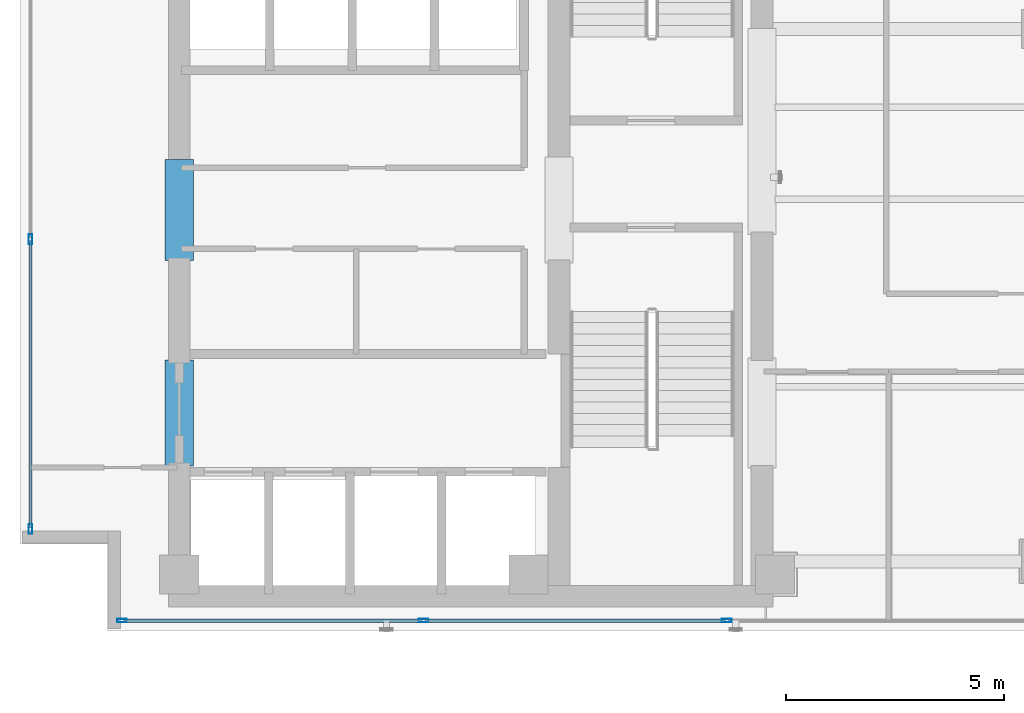
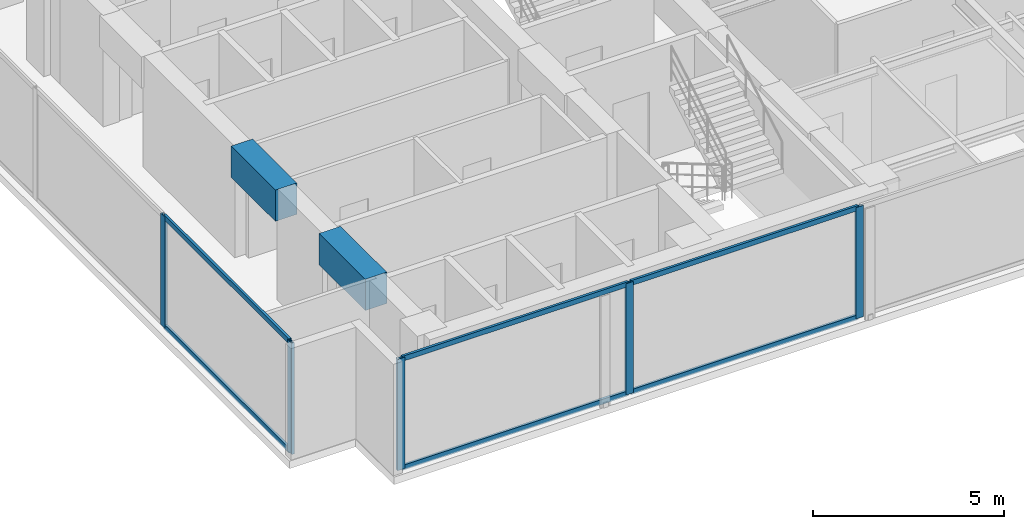
# One storey, part 2 of 24: 11 members, 2 beams, 2 elements without a shape of their own.
"""IFC4 building model written with IfcOpenShell, lengths in metres."""

from ifc_helpers import new_model, si_unit, direction, frame, origin, origin_with_axes, origin_2d, place, context, subcontext, project, spatial, rectangle, hollow_rectangle, extrude, source, transform, mapped, material, layer, layer_set, material_profile, profile_set, type_object, element, aggregate, save


model = new_model("IFC4")

# Units and contexts
model_context = context("Model", 3, precision=1e-05, world=origin(), true_north=direction((0.0, 1.0)))
body_context = subcontext(model_context, "Body", "Model", "MODEL_VIEW")
ifc_project = project(units=[si_unit("LENGTHUNIT", "METRE"), si_unit("AREAUNIT", "SQUARE_METRE"), si_unit("VOLUMEUNIT", "CUBIC_METRE"), si_unit("PLANEANGLEUNIT", "RADIAN"), si_unit("MASSUNIT", "GRAM", prefix="KILO")], contexts=[model_context])

# Site, building, storey
site_placement = place(None, origin())
site = spatial("IfcSite", under=ifc_project, at=site_placement, CompositionType="ELEMENT")
building_placement = place(site_placement, origin())
building = spatial("IfcBuilding", under=site, at=building_placement, Name="Kolvaren Waterfront Exchange", CompositionType="ELEMENT")
storey_placement = place(building_placement, frame((0.0, 0.0, 316.0)))
storey = spatial("IfcBuildingStorey", under=building, at=storey_placement, Name="L81", CompositionType="ELEMENT", Elevation=316.0)

# Beams
ifc_material_1 = material(Name="Concrete C60/75", Category="concrete")
ifc_material_profile_1 = material_profile(ifc_material_1, rectangle(XDim=0.64990234375, YDim=1.0, at=origin_2d()), Name="RC-CB-1000x650")
ifc_profile_set_1 = profile_set([ifc_material_profile_1], Name="Concrete C60/75")
beam_type = type_object("IfcBeamType", Name="STR-CB-1000", PredefinedType="SPANDREL", material=ifc_profile_set_1)
beam_1_placement = place(storey_placement, frame((7.449951171875, 7.389892578125, 3.06005859375), z_axis=(0.0, 1.0, 0.0), x_axis=(-1.0, 0.0, 0.0)))
element("IfcBeam", 1, at=beam_1_placement, inside=storey, type_object=beam_type, Name="L81 core coupling beam 3", PredefinedType="SPANDREL", context=body_context, shape_type="SweptSolid", body=[
    extrude(rectangle(XDim=0.64990234375, YDim=1.0, at=origin_2d()), origin(), (0.0, 0.0, 1.0), 2.420166015625),
])
beam_2_placement = place(storey_placement, frame((7.449951171875, 12.090087890625, 3.06005859375), z_axis=(0.0, 1.0, 0.0), x_axis=(-1.0, 0.0, 0.0)))
element("IfcBeam", 2, at=beam_2_placement, inside=storey, type_object=beam_type, Name="L81 core coupling beam 4", PredefinedType="SPANDREL", context=body_context, shape_type="SweptSolid", body=[
    extrude(rectangle(XDim=0.64990234375, YDim=1.0, at=origin_2d()), origin(), (0.0, 0.0, 1.0), 2.31982421875),
])

# Curtain wall, members
ifc_material_2 = material(Name="Anodised bronze aluminium 6063-T6", Category="aluminium")
ifc_layer_1 = layer(ifc_material_2, 0.219970703125, Name="Anodised bronze aluminium 6063-T6")
ifc_layer_set_1 = layer_set([ifc_layer_1], Name="Anodised bronze aluminium 6063-T6")
curtain_wall_type_1 = type_object("IfcCurtainWallType", Name="ARC-CW-SYS1", PredefinedType="USERDEFINED", material=ifc_layer_set_1)
curtain_wall_1_placement = place(storey_placement, origin())
curtain_wall_1 = element("IfcCurtainWall", 3, at=curtain_wall_1_placement, inside=storey, type_object=curtain_wall_type_1, Name="L81 stick curtain wall CW1 (CW-L81-S)", ObjectType="STICK CURTAIN WALL", PredefinedType="USERDEFINED")
ifc_material_3 = material(Name="Anodised aluminium 6063-T6", Category="aluminium")
ifc_material_profile_2 = material_profile(ifc_material_3, hollow_rectangle(XDim=0.080078125, YDim=0.219970703125, WallThickness=0.0048828125, at=origin_2d()), Name="ALU-MUL-220x80x5")
ifc_profile_set_2 = profile_set([ifc_material_profile_2], Name="Anodised aluminium 6063-T6")
member_type_1 = type_object("IfcMemberType", Name="ARC-CWM-220", PredefinedType="MULLION", material=ifc_profile_set_2)
shared_shape_1 = source(origin_with_axes(), body_context, "Body", "SweptSolid", [
    extrude(hollow_rectangle(XDim=0.080078125, YDim=0.219970703125, WallThickness=0.0048828125, at=origin_2d()), origin(), (0.0, 0.0, 1.0), 3.56005859375),
])
member_1_placement = place(storey_placement, frame((6.139892578125, 3.840087890625, 0.0), z_axis=(0.0, 0.0, 1.0), x_axis=(0.0, 1.0, 0.0)))
member_1 = element("IfcMember", 4, at=member_1_placement, type_object=member_type_1, Name="CW1 mullion 1", PredefinedType="MULLION", context=body_context, shape_type="MappedRepresentation", body=[
    mapped(shared_shape_1, transform((0.0, 0.0, 0.0), x_axis=(1.0, 0.0, 0.0), y_axis=(0.0, 1.0, 0.0), z_axis=(0.0, 0.0, 1.0), scale=1.0)),
])
member_2_placement = place(storey_placement, frame((13.04736328125, 3.840087890625, 0.0), z_axis=(0.0, 0.0, 1.0), x_axis=(0.0, 1.0, 0.0)))
member_2 = element("IfcMember", 5, at=member_2_placement, type_object=member_type_1, Name="CW1 mullion 2", PredefinedType="MULLION", context=body_context, shape_type="MappedRepresentation", body=[
    mapped(shared_shape_1, transform((0.0, 0.0, 0.0), x_axis=(1.0, 0.0, 0.0), y_axis=(0.0, 1.0, 0.0), z_axis=(0.0, 0.0, 1.0), scale=1.0)),
])
member_3_placement = place(storey_placement, frame((19.99462890625, 3.840087890625, 0.0), z_axis=(0.0, 0.0, 1.0), x_axis=(0.0, 1.0, 0.0)))
member_3 = element("IfcMember", 6, at=member_3_placement, type_object=member_type_1, Name="CW1 mullion 3", PredefinedType="MULLION", context=body_context, shape_type="MappedRepresentation", body=[
    mapped(shared_shape_1, transform((0.0, 0.0, 0.0), x_axis=(1.0, 0.0, 0.0), y_axis=(0.0, 1.0, 0.0), z_axis=(0.0, 0.0, 1.0), scale=1.0)),
])

ifc_layer_2 = layer(ifc_material_3, 0.219970703125, Name="Anodised aluminium 6063-T6")
ifc_layer_set_2 = layer_set([ifc_layer_2], Name="Anodised aluminium 6063-T6")
curtain_wall_type_2 = type_object("IfcCurtainWallType", Name="ARC-CW-SYS2", PredefinedType="USERDEFINED", material=ifc_layer_set_2)
curtain_wall_2_placement = place(storey_placement, origin())
curtain_wall_2 = element("IfcCurtainWall", 7, at=curtain_wall_2_placement, inside=storey, type_object=curtain_wall_type_2, Name="L81 stick curtain wall CW2 (CW-L81-W)", ObjectType="STICK CURTAIN WALL", PredefinedType="USERDEFINED")
member_4_placement = place(storey_placement, frame((4.0400390625, 5.93994140625, 0.0), z_axis=(0.0, 0.0, 1.0), x_axis=(-1.0, 0.0, 0.0)))
member_4 = element("IfcMember", 8, at=member_4_placement, type_object=member_type_1, Name="CW2 mullion 1", PredefinedType="MULLION", context=body_context, shape_type="MappedRepresentation", body=[
    mapped(shared_shape_1, transform((0.0, 0.0, 0.0), x_axis=(1.0, 0.0, 0.0), y_axis=(0.0, 1.0, 0.0), z_axis=(0.0, 0.0, 1.0), scale=1.0)),
])
member_5_placement = place(storey_placement, frame((4.0400390625, 12.580810546875, 0.0), z_axis=(0.0, 0.0, 1.0), x_axis=(-1.0, 0.0, 0.0)))
member_5 = element("IfcMember", 9, at=member_5_placement, type_object=member_type_1, Name="CW2 mullion 2", PredefinedType="MULLION", context=body_context, shape_type="MappedRepresentation", body=[
    mapped(shared_shape_1, transform((0.0, 0.0, 0.0), x_axis=(1.0, 0.0, 0.0), y_axis=(0.0, 1.0, 0.0), z_axis=(0.0, 0.0, 1.0), scale=1.0)),
])

# Member
ifc_material_profile_3 = material_profile(ifc_material_3, hollow_rectangle(XDim=0.074951171875, YDim=0.159912109375, WallThickness=0.00439453125, at=origin_2d()), Name="ALU-TRN-160x75x4.5")
ifc_profile_set_3 = profile_set([ifc_material_profile_3], Name="Anodised aluminium 6063-T6")
member_type_2 = type_object("IfcMemberType", Name="ARC-CWT-160", PredefinedType="USERDEFINED", material=ifc_profile_set_3)
shared_shape_2 = source(origin_with_axes(), body_context, "Body", "SweptSolid", [
    extrude(hollow_rectangle(XDim=0.074951171875, YDim=0.159912109375, WallThickness=0.00439453125, at=origin_2d()), origin(), (0.0, 0.0, 1.0), 6.827392578125),
])
member_6_placement = place(storey_placement, frame((6.179931640625, 3.840087890625, 0.03759765625), z_axis=(1.0, 0.0, 0.0), x_axis=(0.0, 1.0, 0.0)))
member_6 = element("IfcMember", 10, at=member_6_placement, type_object=member_type_2, Name="CW1 transom 1.1", ObjectType="TRANSOM", PredefinedType="USERDEFINED", context=body_context, shape_type="MappedRepresentation", body=[
    mapped(shared_shape_2, transform((0.0, 0.0, 0.0), x_axis=(1.0, 0.0, 0.0), y_axis=(0.0, 1.0, 0.0), z_axis=(0.0, 0.0, 1.0), scale=1.0)),
])

member_7_placement = place(storey_placement, frame((6.179931640625, 3.840087890625, 3.5224609375), z_axis=(1.0, 0.0, 0.0), x_axis=(0.0, 1.0, 0.0)))
member_7 = element("IfcMember", 11, at=member_7_placement, type_object=member_type_2, Name="CW1 transom 1.2", ObjectType="TRANSOM", PredefinedType="USERDEFINED", context=body_context, shape_type="MappedRepresentation", body=[
    mapped(shared_shape_2, transform((0.0, 0.0, 0.0), x_axis=(1.0, 0.0, 0.0), y_axis=(0.0, 1.0, 0.0), z_axis=(0.0, 0.0, 1.0), scale=1.0)),
])

shared_shape_3 = source(origin_with_axes(), body_context, "Body", "SweptSolid", [
    extrude(hollow_rectangle(XDim=0.074951171875, YDim=0.159912109375, WallThickness=0.00439453125, at=origin_2d()), origin(), (0.0, 0.0, 1.0), 6.867431640625),
])
member_8_placement = place(storey_placement, frame((13.08740234375, 3.840087890625, 0.03759765625), z_axis=(1.0, 0.0, 0.0), x_axis=(0.0, 1.0, 0.0)))
member_8 = element("IfcMember", 12, at=member_8_placement, type_object=member_type_2, Name="CW1 transom 2.1", ObjectType="TRANSOM", PredefinedType="USERDEFINED", context=body_context, shape_type="MappedRepresentation", body=[
    mapped(shared_shape_3, transform((0.0, 0.0, 0.0), x_axis=(1.0, 0.0, 0.0), y_axis=(0.0, 1.0, 0.0), z_axis=(0.0, 0.0, 1.0), scale=1.0)),
])

member_9_placement = place(storey_placement, frame((13.08740234375, 3.840087890625, 3.5224609375), z_axis=(1.0, 0.0, 0.0), x_axis=(0.0, 1.0, 0.0)))
member_9 = element("IfcMember", 13, at=member_9_placement, type_object=member_type_2, Name="CW1 transom 2.2", ObjectType="TRANSOM", PredefinedType="USERDEFINED", context=body_context, shape_type="MappedRepresentation", body=[
    mapped(shared_shape_3, transform((0.0, 0.0, 0.0), x_axis=(1.0, 0.0, 0.0), y_axis=(0.0, 1.0, 0.0), z_axis=(0.0, 0.0, 1.0), scale=1.0)),
])

aggregate(curtain_wall_1, [member_1, member_2, member_3, member_6, member_7, member_8, member_9])

shared_shape_4 = source(origin_with_axes(), body_context, "Body", "SweptSolid", [
    extrude(hollow_rectangle(XDim=0.074951171875, YDim=0.159912109375, WallThickness=0.00439453125, at=origin_2d()), origin(), (0.0, 0.0, 1.0), 6.560791015625),
])
member_10_placement = place(storey_placement, frame((4.0400390625, 5.97998046875, 0.03759765625), z_axis=(0.0, 1.0, 0.0), x_axis=(-1.0, 0.0, 0.0)))
member_10 = element("IfcMember", 14, at=member_10_placement, type_object=member_type_2, Name="CW2 transom 1.1", ObjectType="TRANSOM", PredefinedType="USERDEFINED", context=body_context, shape_type="MappedRepresentation", body=[
    mapped(shared_shape_4, transform((0.0, 0.0, 0.0), x_axis=(1.0, 0.0, 0.0), y_axis=(0.0, 1.0, 0.0), z_axis=(0.0, 0.0, 1.0), scale=1.0)),
])

member_11_placement = place(storey_placement, frame((4.0400390625, 5.97998046875, 3.5224609375), z_axis=(0.0, 1.0, 0.0), x_axis=(-1.0, 0.0, 0.0)))
member_11 = element("IfcMember", 15, at=member_11_placement, type_object=member_type_2, Name="CW2 transom 1.2", ObjectType="TRANSOM", PredefinedType="USERDEFINED", context=body_context, shape_type="MappedRepresentation", body=[
    mapped(shared_shape_4, transform((0.0, 0.0, 0.0), x_axis=(1.0, 0.0, 0.0), y_axis=(0.0, 1.0, 0.0), z_axis=(0.0, 0.0, 1.0), scale=1.0)),
])

aggregate(curtain_wall_2, [member_4, member_5, member_10, member_11])

save(model, "model.ifc")
